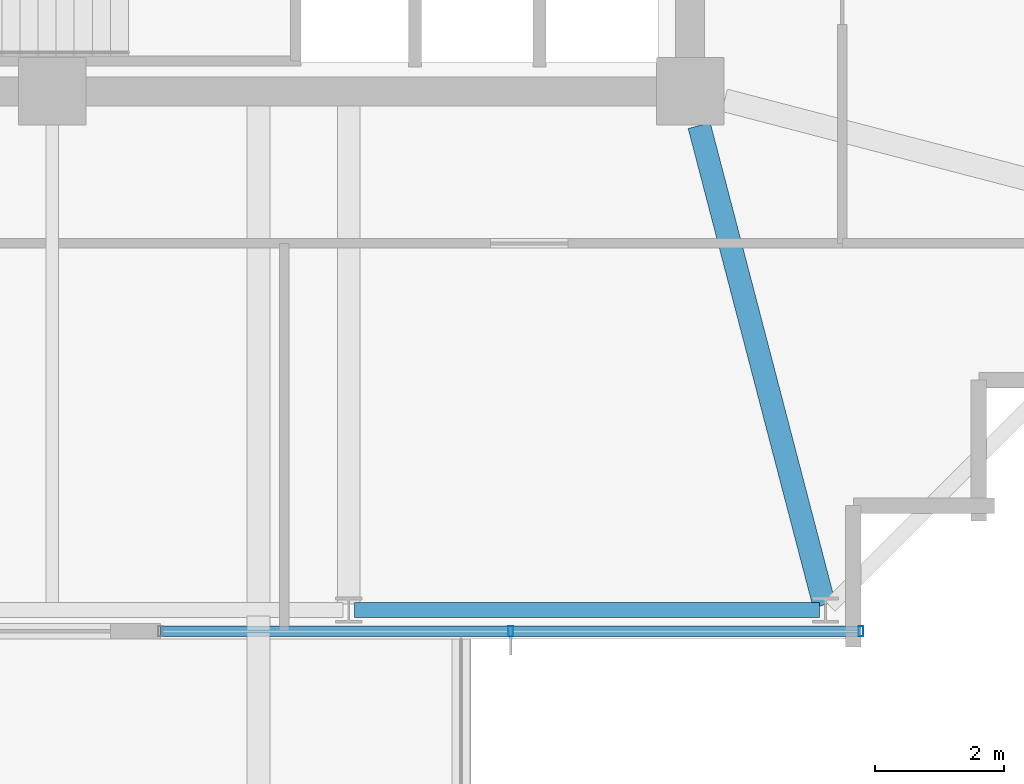
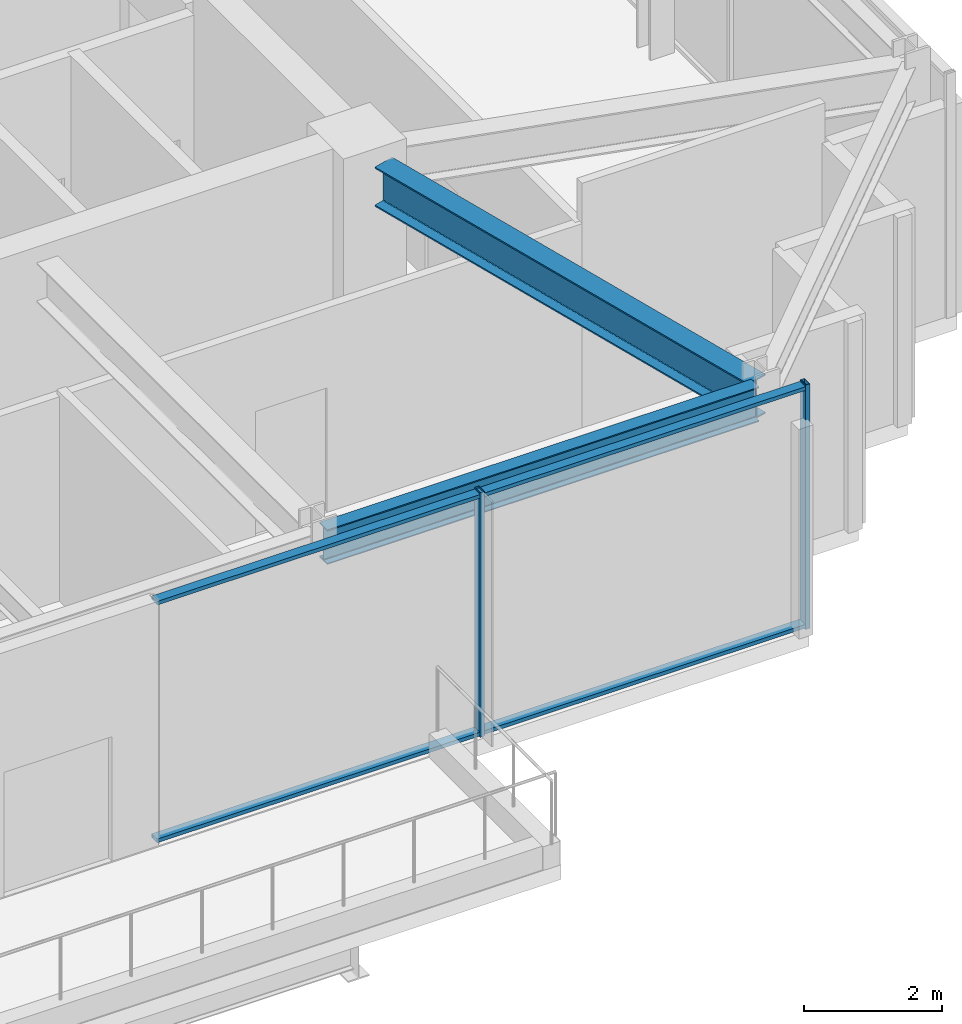
# One storey, part 6 of 30: 4 members, 2 beams, 1 element without a shape of its own.
"""IFC4 building model written with IfcOpenShell, lengths in metres."""

from ifc_helpers import new_model, si_unit, direction, frame, origin, origin_2d, place, context, subcontext, project, spatial, hollow_rectangle, i_section, extrude, material, material_profile, profile_set, type_object, element, aggregate, save


model = new_model("IFC4")

# Units and contexts
model_context = context("Model", 3, precision=1e-05, world=origin(), true_north=direction((0.0, 1.0)))
body_context = subcontext(model_context, "Body", "Model", "MODEL_VIEW")
ifc_project = project(units=[si_unit("LENGTHUNIT", "METRE"), si_unit("AREAUNIT", "SQUARE_METRE"), si_unit("VOLUMEUNIT", "CUBIC_METRE"), si_unit("PLANEANGLEUNIT", "RADIAN"), si_unit("MASSUNIT", "GRAM", prefix="KILO")], contexts=[model_context])

# Site, building, storey
site_placement = place(None, origin())
site = spatial("IfcSite", under=ifc_project, at=site_placement, CompositionType="ELEMENT")
building_placement = place(site_placement, origin())
building = spatial("IfcBuilding", under=site, at=building_placement, Name="Kolvaren Belvedere", CompositionType="ELEMENT")
storey_placement = place(building_placement, frame((0.0, 0.0, 262.800048828125)))
storey = spatial("IfcBuildingStorey", under=building, at=storey_placement, Name="L76", CompositionType="ELEMENT", Elevation=262.800048828125)

# Beams
ifc_material_1 = material(Name="Structural steel ASTM A992 Grade 50", Category="steel")
ifc_material_profile_1 = material_profile(ifc_material_1, i_section(OverallWidth=0.35498046875, OverallDepth=0.696044921875, WebThickness=0.015380859375, FlangeThickness=0.02490234375, FilletRadius=0.02197265625, at=origin_2d()), Name="W27X146")
ifc_profile_set_1 = profile_set([ifc_material_profile_1], Name="Structural steel ASTM A992 Grade 50")
beam_type_1 = type_object("IfcBeamType", Name="BM-GIRD-W27X146", PredefinedType="BEAM", material=ifc_profile_set_1)
beam_1_placement = place(storey_placement, frame((10.038818359375, -10.43212890625, 3.971923828125), z_axis=(0.252430946281, -0.967614911708, 0.0), x_axis=(0.967614911708, 0.252430946281, 0.0)))
element("IfcBeam", 1, at=beam_1_placement, inside=storey, type_object=beam_type_1, Name="L76 Corner Core-to-Perimeter Girder CC2-S4", PredefinedType="BEAM", context=body_context, shape_type="SweptSolid", body=[
    extrude(i_section(OverallWidth=0.35498046875, OverallDepth=0.696044921875, WebThickness=0.015380859375, FlangeThickness=0.02490234375, FilletRadius=0.02197265625, at=origin_2d()), origin(), (0.0, 0.0, 1.0), 7.68798828125),
])
ifc_material_2 = material(Name="Structural steel ASTM A992 Grade 50", Category="steel")
ifc_material_profile_2 = material_profile(ifc_material_2, i_section(OverallWidth=0.22900390625, OverallDepth=0.612060546875, WebThickness=0.011962890625, FlangeThickness=0.01953125, FilletRadius=0.01806640625, at=origin_2d()), Name="W24X84")
ifc_profile_set_2 = profile_set([ifc_material_profile_2], Name="Structural steel ASTM A992 Grade 50")
beam_type_2 = type_object("IfcBeamType", Name="BM-SPAN-W24X84", PredefinedType="SPANDREL", material=ifc_profile_set_2)
beam_2_placement = place(storey_placement, frame((4.691650390625, -17.949951171875, 4.013916015625), z_axis=(1.0, 0.0, 0.0), x_axis=(0.0, 1.0, 0.0)))
element("IfcBeam", 2, at=beam_2_placement, inside=storey, type_object=beam_type_2, Name="L76 Perimeter Spandrel S3-S4", PredefinedType="SPANDREL", context=body_context, shape_type="SweptSolid", body=[
    extrude(i_section(OverallWidth=0.22900390625, OverallDepth=0.612060546875, WebThickness=0.011962890625, FlangeThickness=0.01953125, FilletRadius=0.01806640625, at=origin_2d()), origin(), (0.0, 0.0, 1.0), 7.216796875),
])

# Curtain wall, members
ifc_material_3 = material(Name="Anodised pale-metal aluminium AA 6063-T6", Category="aluminium")
curtain_wall_type = type_object("IfcCurtainWallType", Name="CW-CRN-OBS", PredefinedType="NOTDEFINED", material=ifc_material_3)
curtain_wall_placement = place(storey_placement, origin())
curtain_wall = element("IfcCurtainWall", 3, at=curtain_wall_placement, inside=storey, type_object=curtain_wall_type, Name="L76 Unitised Curtain Wall FCW-L76-S1", PredefinedType="NOTDEFINED")
ifc_material_4 = material(Name="Anodised pale-metal aluminium AA 6063-T6", Category="aluminium")
ifc_material_profile_3 = material_profile(ifc_material_4, hollow_rectangle(XDim=0.074951171875, YDim=0.159912109375, WallThickness=0.00439453125, at=origin_2d()), Name="ALU-MUL-160X75")
ifc_profile_set_3 = profile_set([ifc_material_profile_3], Name="Anodised pale-metal aluminium AA 6063-T6")
member_type_1 = type_object("IfcMemberType", Name="CW-MUL-160", PredefinedType="MULLION", material=ifc_profile_set_3)
member_1_placement = place(storey_placement, frame((12.550048828125, -18.280029296875, 0.0), z_axis=(0.0, 0.0, 1.0), x_axis=(1.0, 0.0, 0.0)))
member_1 = element("IfcMember", 4, at=member_1_placement, type_object=member_type_1, Name="FCW-L76-S1 Unitised Mullion 1", PredefinedType="MULLION", context=body_context, shape_type="SweptSolid", body=[
    extrude(hollow_rectangle(XDim=0.074951171875, YDim=0.159912109375, WallThickness=0.00439453125, at=origin_2d()), origin(), (0.0, 0.0, 1.0), 4.320068359375),
])
member_2_placement = place(storey_placement, frame((7.114990234375, -18.280029296875, 0.0), z_axis=(0.0, 0.0, 1.0), x_axis=(1.0, 0.0, 0.0)))
member_2 = element("IfcMember", 5, at=member_2_placement, type_object=member_type_1, Name="FCW-L76-S1 Unitised Mullion 2", PredefinedType="MULLION", context=body_context, shape_type="SweptSolid", body=[
    extrude(hollow_rectangle(XDim=0.074951171875, YDim=0.159912109375, WallThickness=0.00439453125, at=origin_2d()), origin(), (0.0, 0.0, 1.0), 4.320068359375),
])
ifc_material_5 = material(Name="Anodised pale-metal aluminium AA 6063-T6", Category="aluminium")
ifc_material_profile_4 = material_profile(ifc_material_5, hollow_rectangle(XDim=0.06494140625, YDim=0.159912109375, WallThickness=0.00390625, at=origin_2d()), Name="ALU-TRN-160X65")
ifc_profile_set_4 = profile_set([ifc_material_profile_4], Name="Anodised pale-metal aluminium AA 6063-T6")
member_type_2 = type_object("IfcMemberType", Name="CW-TRN-160", PredefinedType="USERDEFINED", material=ifc_profile_set_4)
member_3_placement = place(storey_placement, frame((12.550048828125, -18.280029296875, 0.06005859375), z_axis=(-1.0, 0.0, 0.0), x_axis=(0.0, 0.0, 1.0)))
member_3 = element("IfcMember", 6, at=member_3_placement, type_object=member_type_2, Name="FCW-L76-S1 Sill Transom", ObjectType="TRANSOM", PredefinedType="USERDEFINED", context=body_context, shape_type="SweptSolid", body=[
    extrude(hollow_rectangle(XDim=0.06494140625, YDim=0.159912109375, WallThickness=0.00390625, at=origin_2d()), origin(), (0.0, 0.0, 1.0), 10.8701171875),
])
member_4_placement = place(storey_placement, frame((12.550048828125, -18.280029296875, 4.260009765625), z_axis=(-1.0, 0.0, 0.0), x_axis=(0.0, 0.0, 1.0)))
member_4 = element("IfcMember", 7, at=member_4_placement, type_object=member_type_2, Name="FCW-L76-S1 Head Transom", ObjectType="TRANSOM", PredefinedType="USERDEFINED", context=body_context, shape_type="SweptSolid", body=[
    extrude(hollow_rectangle(XDim=0.06494140625, YDim=0.159912109375, WallThickness=0.00390625, at=origin_2d()), origin(), (0.0, 0.0, 1.0), 10.8701171875),
])
aggregate(curtain_wall, [member_1, member_2, member_3, member_4])

save(model, "model.ifc")
